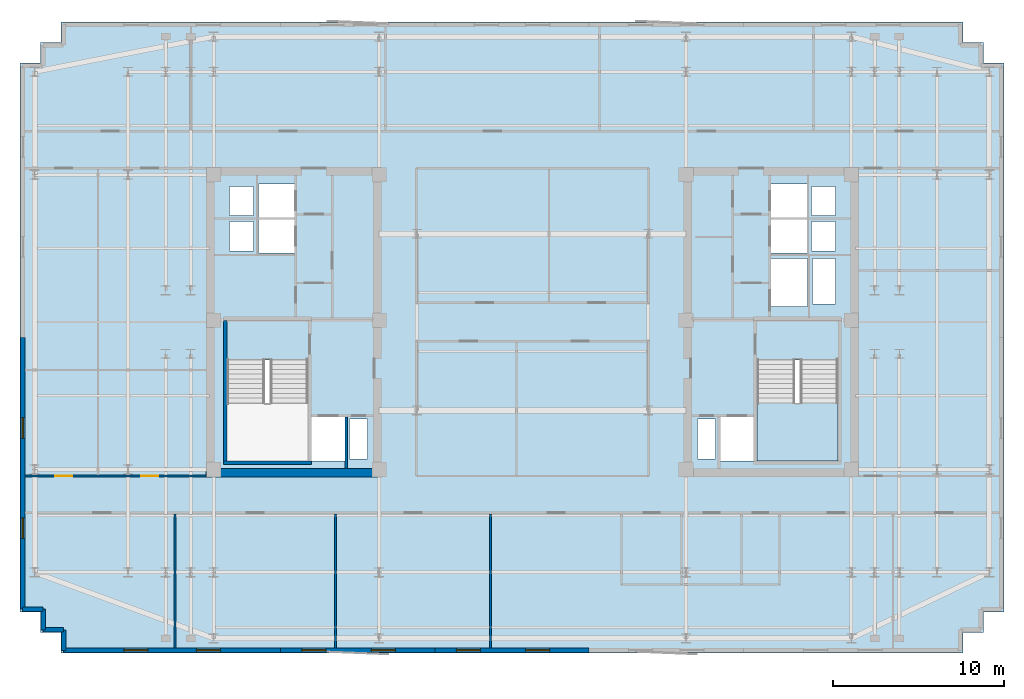
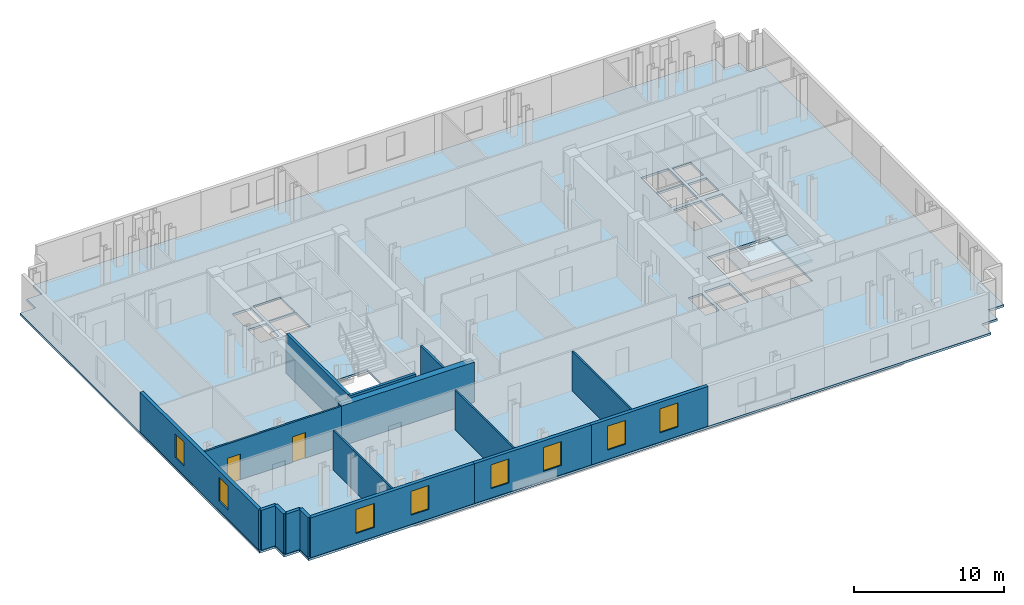
# One storey, part 3 of 9: 16 walls, 8 windows, 2 doors, 2 slabs, 10 openings, 1 element without a shape of its own.
"""IFC4 building model written with IfcOpenShell, lengths in metres."""

from ifc_helpers import new_model, si_unit, direction, frame, frame_2d, origin, place, context, subcontext, project, spatial, polyline, rectangle, outline, extrude, material, layer, layer_set, type_object, element, fill, aggregate, save


model = new_model("IFC4")

# Units and contexts
model_context = context("Model", 3, precision=1e-05, world=origin(), true_north=direction((0.0, 1.0)))
body_context = subcontext(model_context, "Body", "Model", "MODEL_VIEW")
ifc_project = project(units=[si_unit("LENGTHUNIT", "METRE"), si_unit("AREAUNIT", "SQUARE_METRE"), si_unit("VOLUMEUNIT", "CUBIC_METRE"), si_unit("PLANEANGLEUNIT", "RADIAN"), si_unit("MASSUNIT", "GRAM", prefix="KILO")], contexts=[model_context])

# Site, building, storey
site_placement = place(None, origin())
site = spatial("IfcSite", under=ifc_project, at=site_placement, CompositionType="ELEMENT")
building_placement = place(site_placement, origin())
building = spatial("IfcBuilding", under=site, at=building_placement, Name="Velakula Bourse", CompositionType="ELEMENT")
storey_placement = place(building_placement, frame((0.0, 0.0, 225.75)))
storey = spatial("IfcBuildingStorey", under=building, at=storey_placement, Name="L61", CompositionType="ELEMENT", Elevation=225.75)

# Stair, slab
ifc_material_1 = material(Name="Concrete M45 (fck 45 MPa)", Category="concrete")
stair_type = type_object("IfcStairType", Name="STR-DOG-390", PredefinedType="HALF_TURN_STAIR", material=ifc_material_1)
stair_placement = place(storey_placement, origin())
stair = element("IfcStair", 1, at=stair_placement, inside=storey, type_object=stair_type, Name="L61 East Core Exit Stair ST-E1", PredefinedType="HALF_TURN_STAIR")
ifc_layer_1 = layer(ifc_material_1, 0.199951171875, Name="Concrete M45 (fck 45 MPa)", Category="concrete")
ifc_layer_set_1 = layer_set([ifc_layer_1], Name="Concrete M45 (fck 45 MPa)")
slab_type_1 = type_object("IfcSlabType", Name="SLB-STAIR-LND-200", PredefinedType="LANDING", material=ifc_layer_set_1)
slab_1_placement = place(storey_placement, frame((0.0, 0.0, 1.52490234375)))
slab_1 = element("IfcSlab", 2, at=slab_1_placement, type_object=slab_type_1, Name="ST-E1 landing 1", PredefinedType="LANDING", context=body_context, shape_type="SweptSolid", body=[
    extrude(outline(polyline([(13.10009765625, -4.719970703125), (13.10009765625, -8.10009765625), (17.820068359375, -8.10009765625), (17.820068359375, -4.719970703125), (13.10009765625, -4.719970703125)])), origin(), (0.0, 0.0, 1.0), 0.2001953125),
])
aggregate(stair, [slab_1])

# Slab
ifc_material_2 = material(Name="Concrete M50 (fck 50 MPa)", Category="concrete")
ifc_layer_2 = layer(ifc_material_2, 0.179931640625, Name="Concrete M50 (fck 50 MPa)", Category="concrete")
ifc_layer_set_2 = layer_set([ifc_layer_2], Name="Concrete M50 (fck 50 MPa)")
slab_type_2 = type_object("IfcSlabType", Name="SLB-TWR-180", PredefinedType="FLOOR", material=ifc_layer_set_2)
slab_2_placement = place(storey_placement, frame((0.0, 0.0, -0.179931640625)))
element("IfcSlab", 3, at=slab_2_placement, inside=storey, type_object=slab_type_2, Name="L61 Suspended Structural Floor Slab", PredefinedType="FLOOR", context=body_context, shape_type="SweptSolid", body=[
    extrude(outline(polyline([(-27.5, -19.300048828125), (25.10009765625, -19.300048828125), (25.10009765625, -18.10009765625), (26.300048828125, -18.10009765625), (26.300048828125, -16.89990234375), (27.5, -16.89990234375), (27.5, 15.10009765625), (26.300048828125, 15.10009765625), (26.300048828125, 16.300048828125), (25.10009765625, 16.300048828125), (25.10009765625, 17.5), (-27.5, 17.5), (-27.5, 16.300048828125), (-28.699951171875, 16.300048828125), (-28.699951171875, 15.10009765625), (-29.89990234375, 15.10009765625), (-29.89990234375, -16.89990234375), (-28.699951171875, -16.89990234375), (-28.699951171875, -18.10009765625), (-27.5, -18.10009765625), (-27.5, -19.300048828125)]), holes=[polyline([(-17.820068359375, -8.10009765625), (-13.10009765625, -8.10009765625), (-13.10009765625, -2.199951171875), (-17.820068359375, -2.199951171875), (-17.820068359375, -8.10009765625)]), polyline([(13.10009765625, -8.10009765625), (17.820068359375, -8.10009765625), (17.820068359375, -2.199951171875), (13.10009765625, -2.199951171875), (13.10009765625, -8.10009765625)]), polyline([(-12.89990234375, -8.10009765625), (-10.949951171875, -8.10009765625), (-10.949951171875, -5.550048828125), (-12.89990234375, -5.550048828125), (-12.89990234375, -8.10009765625)]), polyline([(10.949951171875, -8.10009765625), (12.89990234375, -8.10009765625), (12.89990234375, -5.550048828125), (10.949951171875, -5.550048828125), (10.949951171875, -8.10009765625)]), polyline([(13.89990234375, 0.919921875), (16.050048828125, 0.919921875), (16.050048828125, 3.719970703125), (13.89990234375, 3.719970703125), (13.89990234375, 0.919921875)]), polyline([(-10.679931640625, -7.97998046875), (-9.6201171875, -7.97998046875), (-9.6201171875, -5.669921875), (-10.679931640625, -5.669921875), (-10.679931640625, -7.97998046875)]), polyline([(-17.679931640625, 4.139892578125), (-16.27001953125, 4.139892578125), (-16.27001953125, 5.85009765625), (-17.679931640625, 5.85009765625), (-17.679931640625, 4.139892578125)]), polyline([(-17.679931640625, 6.2099609375), (-16.27001953125, 6.2099609375), (-16.27001953125, 7.919921875), (-17.679931640625, 7.919921875), (-17.679931640625, 6.2099609375)]), polyline([(9.6201171875, -7.97998046875), (10.679931640625, -7.97998046875), (10.679931640625, -5.669921875), (9.6201171875, -5.669921875), (9.6201171875, -7.97998046875)]), polyline([(16.27001953125, 4.139892578125), (17.679931640625, 4.139892578125), (17.679931640625, 5.85009765625), (16.27001953125, 5.85009765625), (16.27001953125, 4.139892578125)]), polyline([(16.27001953125, 6.2099609375), (17.679931640625, 6.2099609375), (17.679931640625, 7.919921875), (16.27001953125, 7.919921875), (16.27001953125, 6.2099609375)]), polyline([(16.320068359375, 1.0400390625), (17.679931640625, 1.0400390625), (17.679931640625, 3.699951171875), (16.320068359375, 3.699951171875), (16.320068359375, 1.0400390625)]), polyline([(-16.0, 4.02001953125), (-13.89990234375, 4.02001953125), (-13.89990234375, 5.969970703125), (-16.0, 5.969970703125), (-16.0, 4.02001953125)]), polyline([(-16.0, 6.090087890625), (-13.89990234375, 6.090087890625), (-13.89990234375, 8.0400390625), (-16.0, 8.0400390625), (-16.0, 6.090087890625)]), polyline([(13.89990234375, 4.02001953125), (16.0, 4.02001953125), (16.0, 5.969970703125), (13.89990234375, 5.969970703125), (13.89990234375, 4.02001953125)]), polyline([(13.89990234375, 6.090087890625), (16.0, 6.090087890625), (16.0, 8.0400390625), (13.89990234375, 8.0400390625), (13.89990234375, 6.090087890625)])]), origin(), (0.0, 0.0, 1.0), 0.179931640625),
])

# Walls
ifc_layer_3 = layer(ifc_material_2, 0.2099609375, Name="Concrete M50 (fck 50 MPa)", Category="concrete")
ifc_layer_set_3 = layer_set([ifc_layer_3], Name="Concrete M50 (fck 50 MPa)")
wall_type_1 = type_object("IfcWallType", Name="WL-CORE-210", PredefinedType="SHEAR", material=ifc_layer_set_3)
wall_1_placement = place(storey_placement, frame((-17.925048828125, -8.10009765625, 0.0), z_axis=(0.0, 0.0, 1.0), x_axis=(0.0, 1.0, 0.0)))
element("IfcWall", 4, at=wall_1_placement, inside=storey, type_object=wall_type_1, Name="L61 Core W Stairwell Shear Wall OUT", PredefinedType="SHEAR", context=body_context, shape_type="SweptSolid", body=[
    extrude(rectangle(XDim=8.2001953125, YDim=0.2099609375, at=frame_2d((4.10009765625, 0.0))), origin(), (0.0, 0.0, 1.0), 3.27001953125),
])
wall_2_placement = place(storey_placement, frame((-18.030029296875, -8.205078125, 0.0), z_axis=(0.0, 0.0, 1.0), x_axis=(1.0, 0.0, 0.0)))
element("IfcWall", 5, at=wall_2_placement, inside=storey, type_object=wall_type_1, Name="L61 Core W Stairwell Shear Wall S", PredefinedType="SHEAR", context=body_context, shape_type="SweptSolid", body=[
    extrude(rectangle(XDim=5.14013671875, YDim=0.2099609375, at=frame_2d((2.570068359375, 0.0))), origin(), (0.0, 0.0, 1.0), 3.27001953125),
])
ifc_layer_4 = layer(ifc_material_2, 0.5, Name="Concrete M50 (fck 50 MPa)", Category="concrete")
ifc_layer_set_4 = layer_set([ifc_layer_4], Name="Concrete M50 (fck 50 MPa)")
wall_type_2 = type_object("IfcWallType", Name="WL-CORE-500", PredefinedType="SHEAR", material=ifc_layer_set_4)
wall_3_placement = place(storey_placement, frame((-19.050048828125, -8.800048828125, 0.0), z_axis=(0.0, 0.0, 1.0), x_axis=(1.0, 0.0, 0.0)))
element("IfcWall", 6, at=wall_3_placement, inside=storey, type_object=wall_type_2, Name="L61 Core W Shear Wall S", PredefinedType="SHEAR", context=body_context, shape_type="SweptSolid", body=[
    extrude(rectangle(XDim=10.25, YDim=0.5, at=frame_2d((5.125, 0.0))), origin(), (0.0, 0.0, 1.0), 3.27001953125),
])

# Wall, openings, windows
ifc_material_3 = material(Name="Buff kilned clay facing brick masonry", Category="masonry")
ifc_layer_5 = layer(ifc_material_3, 0.260009765625, Name="Buff kilned clay facing brick masonry", Category="masonry")
ifc_layer_set_5 = layer_set([ifc_layer_5], Name="Buff kilned clay facing brick masonry")
wall_type_3 = type_object("IfcWallType", Name="WL-EXT-BRK-260", PredefinedType="STANDARD", material=ifc_layer_set_5)
wall_4_placement = place(storey_placement, frame((-14.699951171875, -19.14990234375, 0.0), z_axis=(0.0, 0.0, 1.0), x_axis=(-1.0, 0.0, 0.0)))
wall_4 = element("IfcWall", 7, at=wall_4_placement, inside=storey, type_object=wall_type_3, Name="L61 S Brick Spandrel Wall B1", PredefinedType="STANDARD", context=body_context, shape_type="SweptSolid", body=[
    extrude(rectangle(XDim=12.650146484375, YDim=0.260009765625, at=frame_2d((6.3251953125, 0.0))), origin(), (0.0, 0.0, 1.0), 3.25),
])
opening_1_placement = place(wall_4_placement, frame((3.5166015625, 0.0, 0.760009765625)))
opening_1 = element("IfcOpeningElement", 8, at=opening_1_placement, cuts=wall_4, Name="Opening W-03", PredefinedType="OPENING", context=body_context, shape_type="SweptSolid", body=[
    extrude(rectangle(XDim=1.39990234375, YDim=1.949951171875, at=frame_2d((0.699951171875, 0.97509765625))), frame((0.0, 0.139892578125, 0.0), z_axis=(0.0, -1.0, 0.0), x_axis=(1.0, 0.0, 0.0)), (0.0, 0.0, 1.0), 0.280029296875),
])
opening_2_placement = place(wall_4_placement, frame((7.7333984375, 0.0, 0.760009765625)))
opening_2 = element("IfcOpeningElement", 9, at=opening_2_placement, cuts=wall_4, Name="Opening W-03", PredefinedType="OPENING", context=body_context, shape_type="SweptSolid", body=[
    extrude(rectangle(XDim=1.39990234375, YDim=1.949951171875, at=frame_2d((0.699951171875, 0.97509765625))), frame((0.0, 0.139892578125, 0.0), z_axis=(0.0, -1.0, 0.0), x_axis=(1.0, 0.0, 0.0)), (0.0, 0.0, 1.0), 0.280029296875),
])
ifc_material_4 = material(Name="Double-glazed solar-control Low-E glass", Category="glass")
window_type_1 = type_object("IfcWindowType", Name="WIN-TWR-1400x2100", PartitioningType="SINGLE_PANEL", PredefinedType="WINDOW", material=ifc_material_4)
window_1_placement = place(opening_1_placement, origin())
window_1 = element("IfcWindow", 10, at=window_1_placement, inside=storey, type_object=window_type_1, Name="L61 Deep-Set Recessed Window 1", OverallHeight=1.949951171875, OverallWidth=1.39990234375, PartitioningType="SINGLE_PANEL", PredefinedType="WINDOW", context=body_context, shape_type="SweptSolid", body=[
    extrude(rectangle(XDim=1.39990234375, YDim=1.949951171875, at=frame_2d((0.699951171875, 0.97509765625))), frame((0.0, 0.030029296875, 0.0), z_axis=(0.0, -1.0, 0.0), x_axis=(1.0, 0.0, 0.0)), (0.0, 0.0, 1.0), 0.06005859375),
])
fill(opening_1, window_1)
window_2_placement = place(opening_2_placement, origin())
window_2 = element("IfcWindow", 11, at=window_2_placement, inside=storey, type_object=window_type_1, Name="L61 Deep-Set Recessed Window 2", OverallHeight=1.949951171875, OverallWidth=1.39990234375, PartitioningType="SINGLE_PANEL", PredefinedType="WINDOW", context=body_context, shape_type="SweptSolid", body=[
    extrude(rectangle(XDim=1.39990234375, YDim=1.949951171875, at=frame_2d((0.699951171875, 0.97509765625))), frame((0.0, 0.030029296875, 0.0), z_axis=(0.0, -1.0, 0.0), x_axis=(1.0, 0.0, 0.0)), (0.0, 0.0, 1.0), 0.06005859375),
])
fill(opening_2, window_2)

wall_5_placement = place(storey_placement, frame((-5.699951171875, -19.14990234375, 0.0), z_axis=(0.0, 0.0, 1.0), x_axis=(-1.0, 0.0, 0.0)))
wall_5 = element("IfcWall", 12, at=wall_5_placement, inside=storey, type_object=wall_type_3, Name="L61 S Brick Spandrel Wall B2", PredefinedType="STANDARD", context=body_context, shape_type="SweptSolid", body=[
    extrude(rectangle(XDim=9.0, YDim=0.260009765625, at=frame_2d((4.5, 0.0))), origin(), (0.0, 0.0, 1.0), 3.25),
])
opening_3_placement = place(wall_5_placement, frame((2.300048828125, 0.0, 0.760009765625)))
opening_3 = element("IfcOpeningElement", 13, at=opening_3_placement, cuts=wall_5, Name="Opening W-03", PredefinedType="OPENING", context=body_context, shape_type="SweptSolid", body=[
    extrude(rectangle(XDim=1.39990234375, YDim=1.949951171875, at=frame_2d((0.699951171875, 0.97509765625))), frame((0.0, 0.139892578125, 0.0), z_axis=(0.0, -1.0, 0.0), x_axis=(1.0, 0.0, 0.0)), (0.0, 0.0, 1.0), 0.280029296875),
])
opening_4_placement = place(wall_5_placement, frame((6.35009765625, 0.0, 0.760009765625)))
opening_4 = element("IfcOpeningElement", 14, at=opening_4_placement, cuts=wall_5, Name="Opening W-03", PredefinedType="OPENING", context=body_context, shape_type="SweptSolid", body=[
    extrude(rectangle(XDim=1.39990234375, YDim=1.949951171875, at=frame_2d((0.699951171875, 0.97509765625))), frame((0.0, 0.139892578125, 0.0), z_axis=(0.0, -1.0, 0.0), x_axis=(1.0, 0.0, 0.0)), (0.0, 0.0, 1.0), 0.280029296875),
])
window_3_placement = place(opening_3_placement, origin())
window_3 = element("IfcWindow", 15, at=window_3_placement, inside=storey, type_object=window_type_1, Name="L61 Deep-Set Recessed Window 1", OverallHeight=1.949951171875, OverallWidth=1.39990234375, PartitioningType="SINGLE_PANEL", PredefinedType="WINDOW", context=body_context, shape_type="SweptSolid", body=[
    extrude(rectangle(XDim=1.39990234375, YDim=1.949951171875, at=frame_2d((0.699951171875, 0.97509765625))), frame((0.0, 0.030029296875, 0.0), z_axis=(0.0, -1.0, 0.0), x_axis=(1.0, 0.0, 0.0)), (0.0, 0.0, 1.0), 0.06005859375),
])
fill(opening_3, window_3)
window_4_placement = place(opening_4_placement, origin())
window_4 = element("IfcWindow", 16, at=window_4_placement, inside=storey, type_object=window_type_1, Name="L61 Deep-Set Recessed Window 2", OverallHeight=1.949951171875, OverallWidth=1.39990234375, PartitioningType="SINGLE_PANEL", PredefinedType="WINDOW", context=body_context, shape_type="SweptSolid", body=[
    extrude(rectangle(XDim=1.39990234375, YDim=1.949951171875, at=frame_2d((0.699951171875, 0.97509765625))), frame((0.0, 0.030029296875, 0.0), z_axis=(0.0, -1.0, 0.0), x_axis=(1.0, 0.0, 0.0)), (0.0, 0.0, 1.0), 0.06005859375),
])
fill(opening_4, window_4)

wall_6_placement = place(storey_placement, frame((3.300048828125, -19.14990234375, 0.0), z_axis=(0.0, 0.0, 1.0), x_axis=(-1.0, 0.0, 0.0)))
wall_6 = element("IfcWall", 17, at=wall_6_placement, inside=storey, type_object=wall_type_3, Name="L61 S Brick Spandrel Wall B3", PredefinedType="STANDARD", context=body_context, shape_type="SweptSolid", body=[
    extrude(rectangle(XDim=9.0, YDim=0.260009765625, at=frame_2d((4.5, 0.0))), origin(), (0.0, 0.0, 1.0), 3.25),
])
opening_5_placement = place(wall_6_placement, frame((2.300048828125, 0.0, 0.760009765625)))
opening_5 = element("IfcOpeningElement", 18, at=opening_5_placement, cuts=wall_6, Name="Opening W-03", PredefinedType="OPENING", context=body_context, shape_type="SweptSolid", body=[
    extrude(rectangle(XDim=1.39990234375, YDim=1.949951171875, at=frame_2d((0.699951171875, 0.97509765625))), frame((0.0, 0.139892578125, 0.0), z_axis=(0.0, -1.0, 0.0), x_axis=(1.0, 0.0, 0.0)), (0.0, 0.0, 1.0), 0.280029296875),
])
opening_6_placement = place(wall_6_placement, frame((6.35009765625, 0.0, 0.760009765625)))
opening_6 = element("IfcOpeningElement", 19, at=opening_6_placement, cuts=wall_6, Name="Opening W-03", PredefinedType="OPENING", context=body_context, shape_type="SweptSolid", body=[
    extrude(rectangle(XDim=1.39990234375, YDim=1.949951171875, at=frame_2d((0.699951171875, 0.97509765625))), frame((0.0, 0.139892578125, 0.0), z_axis=(0.0, -1.0, 0.0), x_axis=(1.0, 0.0, 0.0)), (0.0, 0.0, 1.0), 0.280029296875),
])
window_5_placement = place(opening_5_placement, origin())
window_5 = element("IfcWindow", 20, at=window_5_placement, inside=storey, type_object=window_type_1, Name="L61 Deep-Set Recessed Window 1", OverallHeight=1.949951171875, OverallWidth=1.39990234375, PartitioningType="SINGLE_PANEL", PredefinedType="WINDOW", context=body_context, shape_type="SweptSolid", body=[
    extrude(rectangle(XDim=1.39990234375, YDim=1.949951171875, at=frame_2d((0.699951171875, 0.97509765625))), frame((0.0, 0.030029296875, 0.0), z_axis=(0.0, -1.0, 0.0), x_axis=(1.0, 0.0, 0.0)), (0.0, 0.0, 1.0), 0.06005859375),
])
fill(opening_5, window_5)
window_6_placement = place(opening_6_placement, origin())
window_6 = element("IfcWindow", 21, at=window_6_placement, inside=storey, type_object=window_type_1, Name="L61 Deep-Set Recessed Window 2", OverallHeight=1.949951171875, OverallWidth=1.39990234375, PartitioningType="SINGLE_PANEL", PredefinedType="WINDOW", context=body_context, shape_type="SweptSolid", body=[
    extrude(rectangle(XDim=1.39990234375, YDim=1.949951171875, at=frame_2d((0.699951171875, 0.97509765625))), frame((0.0, 0.030029296875, 0.0), z_axis=(0.0, -1.0, 0.0), x_axis=(1.0, 0.0, 0.0)), (0.0, 0.0, 1.0), 0.06005859375),
])
fill(opening_6, window_6)

wall_7_placement = place(storey_placement, frame((-29.75, -16.75, 0.0), z_axis=(0.0, 0.0, 1.0), x_axis=(0.0, 1.0, 0.0)))
wall_7 = element("IfcWall", 22, at=wall_7_placement, inside=storey, type_object=wall_type_3, Name="L61 W Brick End Wall W1", PredefinedType="STANDARD", context=body_context, shape_type="SweptSolid", body=[
    extrude(rectangle(XDim=15.85009765625, YDim=0.260009765625, at=frame_2d((7.925048828125, 0.0))), origin(), (0.0, 0.0, 1.0), 3.25),
])
opening_7_placement = place(wall_7_placement, frame((4.13330078125, 0.0, 0.760009765625)))
opening_7 = element("IfcOpeningElement", 23, at=opening_7_placement, cuts=wall_7, Name="Opening W-04", PredefinedType="OPENING", context=body_context, shape_type="SweptSolid", body=[
    extrude(rectangle(XDim=1.199951171875, YDim=1.949951171875, at=frame_2d((0.60009765625, 0.97509765625))), frame((0.0, 0.139892578125, 0.0), z_axis=(0.0, -1.0, 0.0), x_axis=(1.0, 0.0, 0.0)), (0.0, 0.0, 1.0), 0.280029296875),
])
opening_8_placement = place(wall_7_placement, frame((9.966796875, 0.0, 0.760009765625)))
opening_8 = element("IfcOpeningElement", 24, at=opening_8_placement, cuts=wall_7, Name="Opening W-04", PredefinedType="OPENING", context=body_context, shape_type="SweptSolid", body=[
    extrude(rectangle(XDim=1.199951171875, YDim=1.949951171875, at=frame_2d((0.60009765625, 0.97509765625))), frame((0.0, 0.139892578125, 0.0), z_axis=(0.0, -1.0, 0.0), x_axis=(1.0, 0.0, 0.0)), (0.0, 0.0, 1.0), 0.280029296875),
])
window_type_2 = type_object("IfcWindowType", Name="WIN-TWR-1200x2100", PartitioningType="SINGLE_PANEL", PredefinedType="WINDOW", material=ifc_material_4)
window_7_placement = place(opening_7_placement, origin())
window_7 = element("IfcWindow", 25, at=window_7_placement, inside=storey, type_object=window_type_2, Name="L61 Deep-Set Recessed Window 1", OverallHeight=1.949951171875, OverallWidth=1.199951171875, PartitioningType="SINGLE_PANEL", PredefinedType="WINDOW", context=body_context, shape_type="SweptSolid", body=[
    extrude(rectangle(XDim=1.199951171875, YDim=1.949951171875, at=frame_2d((0.60009765625, 0.97509765625))), frame((0.0, 0.030029296875, 0.0), z_axis=(0.0, -1.0, 0.0), x_axis=(1.0, 0.0, 0.0)), (0.0, 0.0, 1.0), 0.06005859375),
])
fill(opening_7, window_7)
window_8_placement = place(opening_8_placement, origin())
window_8 = element("IfcWindow", 26, at=window_8_placement, inside=storey, type_object=window_type_2, Name="L61 Deep-Set Recessed Window 2", OverallHeight=1.949951171875, OverallWidth=1.199951171875, PartitioningType="SINGLE_PANEL", PredefinedType="WINDOW", context=body_context, shape_type="SweptSolid", body=[
    extrude(rectangle(XDim=1.199951171875, YDim=1.949951171875, at=frame_2d((0.60009765625, 0.97509765625))), frame((0.0, 0.030029296875, 0.0), z_axis=(0.0, -1.0, 0.0), x_axis=(1.0, 0.0, 0.0)), (0.0, 0.0, 1.0), 0.06005859375),
])
fill(opening_8, window_8)

# Walls
for number, where, z_axis, x_axis, name in (
    (27, (-29.75, -16.75, 0.0), (0.0, 0.0, 1.0), (1.0, 0.0, 0.0), "L61 Serrated Corner Brick Wall SW-1"),
    (28, (-28.550048828125, -16.75, 0.0), (0.0, 0.0, 1.0), (0.0, -1.0, 0.0), "L61 Serrated Corner Brick Wall SW-2"),
    (29, (-28.550048828125, -17.949951171875, 0.0), (0.0, 0.0, 1.0), (1.0, 0.0, 0.0), "L61 Serrated Corner Brick Wall SW-3"),
    (30, (-27.35009765625, -17.949951171875, 0.0), (0.0, 0.0, 1.0), (0.0, -1.0, 0.0), "L61 Serrated Corner Brick Wall SW-4"),
):
    element("IfcWall", number, at=place(storey_placement, frame(where, z_axis=z_axis, x_axis=x_axis)), inside=storey, type_object=wall_type_3, Name=name, PredefinedType="STANDARD", context=body_context, shape_type="SweptSolid", body=[
        extrude(rectangle(XDim=1.199951171875, YDim=0.260009765625, at=frame_2d((0.60009765625, 0.0))), origin(), (0.0, 0.0, 1.0), 3.25),
    ])
ifc_material_5 = material(Name="Fire-rated double-layer gypsum drywall partition", Category="gypsum")
ifc_layer_6 = layer(ifc_material_5, 0.1201171875, Name="Fire-rated double-layer gypsum drywall partition", Category="gypsum")
ifc_layer_set_6 = layer_set([ifc_layer_6], Name="Fire-rated double-layer gypsum drywall partition")
wall_type_4 = type_object("IfcWallType", Name="WL-PART-120", PredefinedType="STANDARD", material=ifc_layer_set_6)
for number, where, z_axis, x_axis, name in (
    (31, (-20.8701171875, -19.02001953125, 0.0), (0.0, 0.0, 1.0), (0.0, 1.0, 0.0), "L61 Interior Partition WL-INT-L61-SL-D5"),
    (32, (-11.485107421875, -19.02001953125, 0.0), (0.0, 0.0, 1.0), (0.0, 1.0, 0.0), "L61 Interior Partition WL-INT-L61-SL-D6"),
    (33, (-2.447021484375, -19.02001953125, 0.0), (0.0, 0.0, 1.0), (0.0, 1.0, 0.0), "L61 Interior Partition WL-INT-L61-SL-D7"),
):
    element("IfcWall", number, at=place(storey_placement, frame(where, z_axis=z_axis, x_axis=x_axis)), inside=storey, type_object=wall_type_4, Name=name, PredefinedType="STANDARD", context=body_context, shape_type="SweptSolid", body=[
        extrude(rectangle(XDim=7.830078125, YDim=0.1201171875, at=frame_2d((3.9150390625, 0.0))), origin(), (0.0, 0.0, 1.0), 3.25),
    ])

# Wall, openings, doors
ifc_layer_7 = layer(ifc_material_5, 0.139892578125, Name="Fire-rated double-layer gypsum drywall partition", Category="gypsum")
ifc_layer_set_7 = layer_set([ifc_layer_7], Name="Fire-rated double-layer gypsum drywall partition")
wall_type_5 = type_object("IfcWallType", Name="WL-PART-140", PredefinedType="STANDARD", material=ifc_layer_set_7)
wall_8_placement = place(storey_placement, frame((-29.6201171875, -8.97998046875, 0.0), z_axis=(0.0, 0.0, 1.0), x_axis=(1.0, 0.0, 0.0)))
wall_8 = element("IfcWall", 34, at=wall_8_placement, inside=storey, type_object=wall_type_5, Name="L61 Interior Partition WL-INT-L61-W-SC", PredefinedType="STANDARD", context=body_context, shape_type="SweptSolid", body=[
    extrude(rectangle(XDim=10.570068359375, YDim=0.139892578125, at=frame_2d((5.28515625, 0.0))), origin(), (0.0, 0.0, 1.0), 3.25),
])
opening_9_placement = place(wall_8_placement, frame((1.762451171875, 0.0, 0.0)))
opening_9 = element("IfcOpeningElement", 35, at=opening_9_placement, cuts=wall_8, Name="Opening D-OF1", PredefinedType="OPENING", context=body_context, shape_type="SweptSolid", body=[
    extrude(rectangle(XDim=1.0, YDim=2.080078125, at=frame_2d((0.5, 1.0400390625))), frame((0.0, 0.079833984375, 0.0), z_axis=(0.0, -1.0, 0.0), x_axis=(1.0, 0.0, 0.0)), (0.0, 0.0, 1.0), 0.159912109375),
])
opening_10_placement = place(wall_8_placement, frame((6.78759765625, 0.0, 0.0)))
opening_10 = element("IfcOpeningElement", 36, at=opening_10_placement, cuts=wall_8, Name="Opening D-OF1", PredefinedType="OPENING", context=body_context, shape_type="SweptSolid", body=[
    extrude(rectangle(XDim=1.0, YDim=2.080078125, at=frame_2d((0.5, 1.0400390625))), frame((0.0, 0.079833984375, 0.0), z_axis=(0.0, -1.0, 0.0), x_axis=(1.0, 0.0, 0.0)), (0.0, 0.0, 1.0), 0.159912109375),
])
ifc_material_6 = material(Name="Fire-rated hardwood flush architectural door", Category="wood")
door_type = type_object("IfcDoorType", Name="DR-OFF-1000", OperationType="NOTDEFINED", PredefinedType="DOOR", material=ifc_material_6)
door_1_placement = place(opening_9_placement, origin())
door_1 = element("IfcDoor", 37, at=door_1_placement, inside=storey, type_object=door_type, Name="L61 Bullion Assay Office Door", OperationType="SINGLE_SWING_LEFT", OverallHeight=2.080078125, OverallWidth=1.0, PredefinedType="DOOR", context=body_context, shape_type="SweptSolid", body=[
    extrude(rectangle(XDim=1.0, YDim=2.080078125, at=frame_2d((0.5, 1.0400390625))), frame((0.0, 0.02490234375, 0.0), z_axis=(0.0, -1.0, 0.0), x_axis=(1.0, 0.0, 0.0)), (0.0, 0.0, 1.0), 0.050048828125),
])
fill(opening_9, door_1)
door_2_placement = place(opening_10_placement, origin())
door_2 = element("IfcDoor", 38, at=door_2_placement, inside=storey, type_object=door_type, Name="L61 Executive Boardroom Door", OperationType="SINGLE_SWING_RIGHT", OverallHeight=2.080078125, OverallWidth=1.0, PredefinedType="DOOR", context=body_context, shape_type="SweptSolid", body=[
    extrude(rectangle(XDim=1.0, YDim=2.080078125, at=frame_2d((0.5, 1.0400390625))), frame((0.0, 0.02490234375, 0.0), z_axis=(0.0, -1.0, 0.0), x_axis=(1.0, 0.0, 0.0)), (0.0, 0.0, 1.0), 0.050048828125),
])
fill(opening_10, door_2)

# Wall
ifc_material_7 = material(Name="Autoclaved aerated concrete blockwork masonry", Category="masonry")
ifc_layer_8 = layer(ifc_material_7, 0.14990234375, Name="Autoclaved aerated concrete blockwork masonry", Category="masonry")
ifc_layer_set_8 = layer_set([ifc_layer_8], Name="Autoclaved aerated concrete blockwork masonry")
wall_type_6 = type_object("IfcWallType", Name="WL-SHAFT-150", PredefinedType="STANDARD", material=ifc_layer_set_8)
wall_9_placement = place(storey_placement, frame((-10.875, -8.550048828125, 0.0), z_axis=(0.0, 0.0, 1.0), x_axis=(0.0, 1.0, 0.0)))
element("IfcWall", 39, at=wall_9_placement, inside=storey, type_object=wall_type_6, Name="L61 Interior Partition WL-CRW-L61-FR-DIV", PredefinedType="STANDARD", context=body_context, shape_type="SweptSolid", body=[
    extrude(rectangle(XDim=3.0, YDim=0.14990234375, at=frame_2d((1.5, 0.0))), origin(), (0.0, 0.0, 1.0), 3.25),
])

save(model, "model.ifc")
